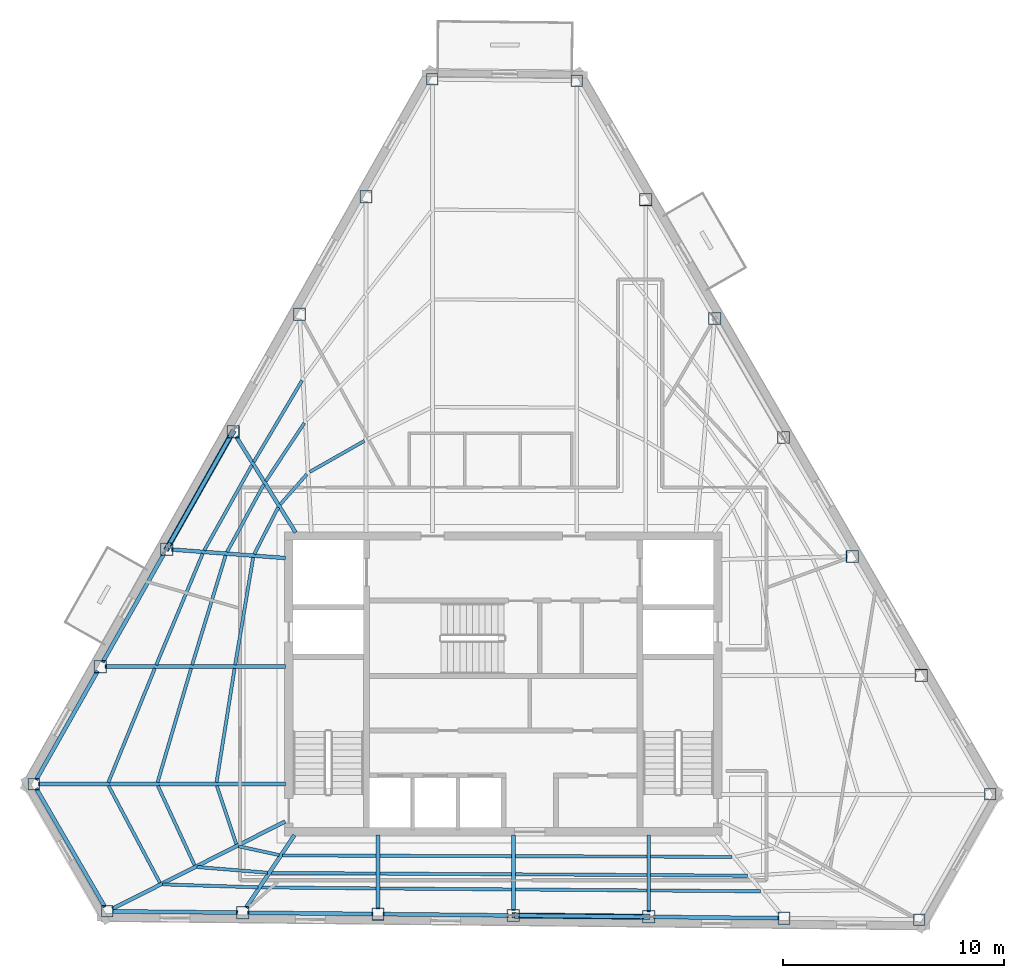
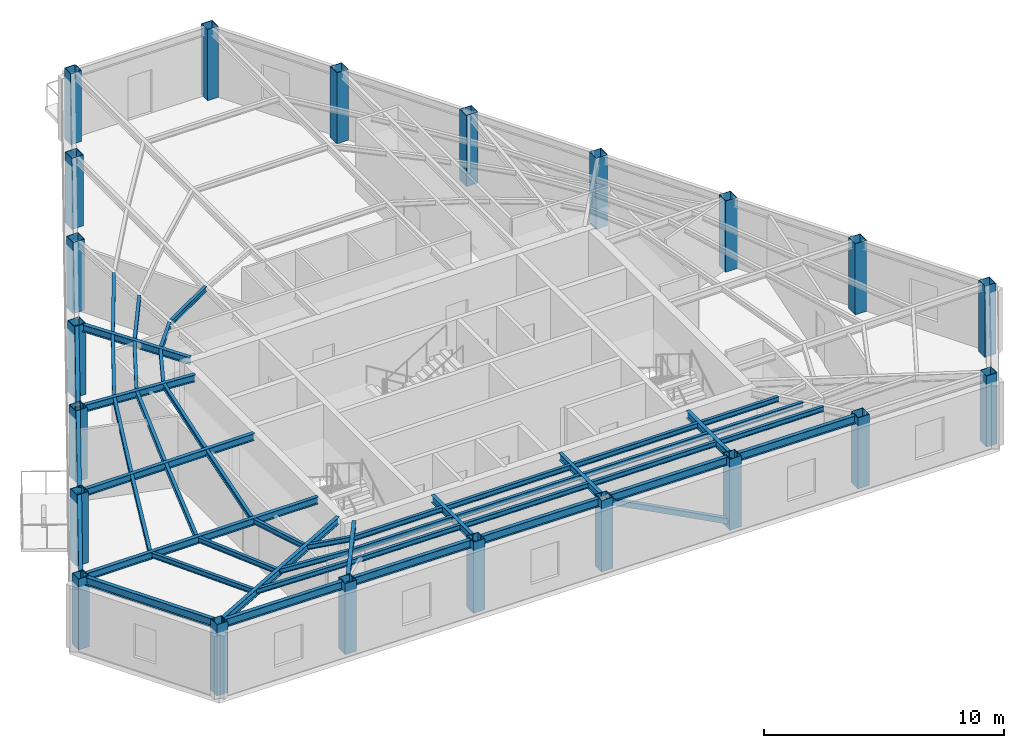
# One storey, part 1 of 10: 49 beams, 21 columns, 2 members.
"""IFC4 building model written with IfcOpenShell, lengths in metres."""

from ifc_helpers import new_model, si_unit, direction, frame, origin, origin_2d, place, context, subcontext, project, spatial, hollow_rectangle, i_section, extrude, material, material_profile, profile_set, type_object, element, save


model = new_model("IFC4")

# Units and contexts
model_context = context("Model", 3, precision=1e-05, world=origin(), true_north=direction((0.0, 1.0)))
body_context = subcontext(model_context, "Body", "Model", "MODEL_VIEW")
ifc_project = project(units=[si_unit("LENGTHUNIT", "METRE"), si_unit("AREAUNIT", "SQUARE_METRE"), si_unit("VOLUMEUNIT", "CUBIC_METRE"), si_unit("PLANEANGLEUNIT", "RADIAN"), si_unit("MASSUNIT", "GRAM", prefix="KILO")], contexts=[model_context])

# Site, building, storey
site_placement = place(None, origin())
site = spatial("IfcSite", under=ifc_project, at=site_placement, CompositionType="ELEMENT")
building_placement = place(site_placement, origin())
building = spatial("IfcBuilding", under=site, at=building_placement, Name="Kavelnor Concourse Tower", CompositionType="ELEMENT")
storey_placement = place(building_placement, frame((0.0, 0.0, 247.199951171875)))
storey = spatial("IfcBuildingStorey", under=building, at=storey_placement, Name="L62", CompositionType="ELEMENT", Elevation=247.199951171875)

# Columns
ifc_material = material(Name="Steel Grade 350", Category="steel")
ifc_material_profile_1 = material_profile(ifc_material, hollow_rectangle(XDim=0.52001953125, YDim=0.52001953125, WallThickness=0.02392578125, at=origin_2d()), Name="SHS 520x520x24")
ifc_profile_set_1 = profile_set([ifc_material_profile_1], Name="Steel Grade 350")
column_type_1 = type_object("IfcColumnType", Name="COL-FOLD-Z4", PredefinedType="COLUMN", material=ifc_profile_set_1)
for number, where, z_axis, x_axis, name in (
    (1, (34.796142578125, 43.466796875, 0.0), (0.0, 0.0, 1.0), (1.0, 0.0, 0.0), "L62 Perimeter Corner-Fold Column F0-B0"),
    (2, (16.750732421875, 11.5615234375, 0.0), (0.0, 0.0, 1.0), (1.0, 0.0, 0.0), "L62 Perimeter Corner-Fold Column F0-B6"),
    (3, (20.084716796875, 5.80615234375, 0.0), (0.0, 0.0, 1.0), (1.0, 0.0, 0.0), "L62 Perimeter Corner-Fold Column F1-B0"),
    (4, (56.83349609375, 5.427734375, 0.0), (0.0, 0.0, 1.0), (1.0, 0.0, 0.0), "L62 Perimeter Corner-Fold Column F1-B6"),
    (5, (60.041015625, 11.098876953125, 0.0), (0.0, 0.0, 1.0), (1.0, 0.0, 0.0), "L62 Perimeter Corner-Fold Column F2-B0"),
    (6, (41.330322265625, 43.399658203125, 0.0), (0.0, 0.0, 1.0), (1.0, 0.0, 0.0), "L62 Perimeter Corner-Fold Column F2-B6"),
):
    element("IfcColumn", number, at=place(storey_placement, frame(where, z_axis=z_axis, x_axis=x_axis)), inside=storey, type_object=column_type_1, Name=name, PredefinedType="COLUMN", context=body_context, shape_type="SweptSolid", body=[
        extrude(hollow_rectangle(XDim=0.52001953125, YDim=0.52001953125, WallThickness=0.02392578125, at=origin_2d()), origin(), (0.0, 0.0, 1.0), 3.610107421875),
    ])
ifc_material_profile_2 = material_profile(ifc_material, hollow_rectangle(XDim=0.56005859375, YDim=0.56005859375, WallThickness=0.02490234375, at=origin_2d()), Name="SHS 560x560x25")
ifc_profile_set_2 = profile_set([ifc_material_profile_2], Name="Steel Grade 350")
column_type_2 = type_object("IfcColumnType", Name="COL-TUBE-Z4", PredefinedType="COLUMN", material=ifc_profile_set_2)
for number, where, z_axis, x_axis, name in (
    (7, (31.78857421875, 38.1494140625, 0.0), (0.0, 0.0, 1.0), (1.0, 0.0, 0.0), "L62 Perimeter Framed-Tube Column F0-B1"),
    (8, (28.781005859375, 32.831787109375, 0.0), (0.0, 0.0, 1.0), (1.0, 0.0, 0.0), "L62 Perimeter Framed-Tube Column F0-B2"),
    (9, (25.7734375, 27.51416015625, 0.0), (0.0, 0.0, 1.0), (1.0, 0.0, 0.0), "L62 Perimeter Framed-Tube Column F0-B3"),
    (10, (22.765869140625, 22.196533203125, 0.0), (0.0, 0.0, 1.0), (1.0, 0.0, 0.0), "L62 Perimeter Framed-Tube Column F0-B4"),
    (11, (19.75830078125, 16.879150390625, 0.0), (0.0, 0.0, 1.0), (1.0, 0.0, 0.0), "L62 Perimeter Framed-Tube Column F0-B5"),
    (12, (26.20947265625, 5.7431640625, 0.0), (0.0, 0.0, 1.0), (1.0, 0.0, 0.0), "L62 Perimeter Framed-Tube Column F1-B1"),
    (13, (32.334228515625, 5.679931640625, 0.0), (0.0, 0.0, 1.0), (1.0, 0.0, 0.0), "L62 Perimeter Framed-Tube Column F1-B2"),
    (14, (38.458984375, 5.616943359375, 0.0), (0.0, 0.0, 1.0), (1.0, 0.0, 0.0), "L62 Perimeter Framed-Tube Column F1-B3"),
    (15, (44.583984375, 5.553955078125, 0.0), (0.0, 0.0, 1.0), (1.0, 0.0, 0.0), "L62 Perimeter Framed-Tube Column F1-B4"),
    (16, (50.708740234375, 5.49072265625, 0.0), (0.0, 0.0, 1.0), (1.0, 0.0, 0.0), "L62 Perimeter Framed-Tube Column F1-B5"),
    (17, (56.922607421875, 16.482421875, 0.0), (0.0, 0.0, 1.0), (1.0, 0.0, 0.0), "L62 Perimeter Framed-Tube Column F2-B1"),
    (18, (53.80419921875, 21.86572265625, 0.0), (0.0, 0.0, 1.0), (1.0, 0.0, 0.0), "L62 Perimeter Framed-Tube Column F2-B2"),
    (19, (50.685791015625, 27.249267578125, 0.0), (0.0, 0.0, 1.0), (1.0, 0.0, 0.0), "L62 Perimeter Framed-Tube Column F2-B3"),
    (20, (47.5673828125, 32.6328125, 0.0), (0.0, 0.0, 1.0), (1.0, 0.0, 0.0), "L62 Perimeter Framed-Tube Column F2-B4"),
    (21, (44.44873046875, 38.01611328125, 0.0), (0.0, 0.0, 1.0), (1.0, 0.0, 0.0), "L62 Perimeter Framed-Tube Column F2-B5"),
):
    element("IfcColumn", number, at=place(storey_placement, frame(where, z_axis=z_axis, x_axis=x_axis)), inside=storey, type_object=column_type_2, Name=name, PredefinedType="COLUMN", context=body_context, shape_type="SweptSolid", body=[
        extrude(hollow_rectangle(XDim=0.56005859375, YDim=0.56005859375, WallThickness=0.02490234375, at=origin_2d()), origin(), (0.0, 0.0, 1.0), 3.610107421875),
    ])

# Beams
ifc_material_profile_3 = material_profile(ifc_material, i_section(OverallWidth=0.14599609375, OverallDepth=0.256103515625, WebThickness=0.00634765625, FlangeThickness=0.010986328125, at=origin_2d()), Name="250UB37")
ifc_profile_set_3 = profile_set([ifc_material_profile_3], Name="Steel Grade 350")
beam_type_1 = type_object("IfcBeamType", Name="BM-JOIST-250", PredefinedType="JOIST", material=ifc_profile_set_3)
beam_1_placement = place(storey_placement, frame((25.03857421875, 11.483642578125, 3.48193359375), z_axis=(0.31604355482, -0.948744681912, 0.0), x_axis=(0.948744681912, 0.31604355482, 0.0)))
element("IfcBeam", 22, at=beam_1_placement, inside=storey, type_object=beam_type_1, Name="L62 Secondary Composite Joist 01-1", PredefinedType="JOIST", context=body_context, shape_type="SweptSolid", body=[
    extrude(i_section(OverallWidth=0.14599609375, OverallDepth=0.256103515625, WebThickness=0.00634765625, FlangeThickness=0.010986328125, at=origin_2d()), origin(), (0.0, 0.0, 1.0), 2.783203125),
])
beam_2_placement = place(storey_placement, frame((22.366455078125, 11.487060546875, 3.48193359375), z_axis=(0.420175241968, -0.907442982251, 0.0), x_axis=(0.907442982251, 0.420175241968, 0.0)))
element("IfcBeam", 23, at=beam_2_placement, inside=storey, type_object=beam_type_1, Name="L62 Secondary Composite Joist 01-2", PredefinedType="JOIST", context=body_context, shape_type="SweptSolid", body=[
    extrude(i_section(OverallWidth=0.14599609375, OverallDepth=0.256103515625, WebThickness=0.00634765625, FlangeThickness=0.010986328125, at=origin_2d()), origin(), (0.0, 0.0, 1.0), 3.962646484375),
])
beam_3_placement = place(storey_placement, frame((20.13671875, 11.489013671875, 3.48193359375), z_axis=(0.468063820267, -0.883694664552, 0.0), x_axis=(0.883694664552, 0.468063820267, 0.0)))
element("IfcBeam", 24, at=beam_3_placement, inside=storey, type_object=beam_type_1, Name="L62 Secondary Composite Joist 01-3", PredefinedType="JOIST", context=body_context, shape_type="SweptSolid", body=[
    extrude(i_section(OverallWidth=0.14599609375, OverallDepth=0.256103515625, WebThickness=0.00634765625, FlangeThickness=0.010986328125, at=origin_2d()), origin(), (0.0, 0.0, 1.0), 4.96826171875),
])
beam_4_placement = place(storey_placement, frame((26.0244140625, 8.747802734375, 3.48193359375), z_axis=(0.977367599552, -0.211548045005, 0.0), x_axis=(0.211548045005, 0.977367599552, 0.0)))
element("IfcBeam", 25, at=beam_4_placement, inside=storey, type_object=beam_type_1, Name="L62 Secondary Composite Joist 02-1", PredefinedType="JOIST", context=body_context, shape_type="SweptSolid", body=[
    extrude(i_section(OverallWidth=0.14599609375, OverallDepth=0.256103515625, WebThickness=0.00634765625, FlangeThickness=0.010986328125, at=origin_2d()), origin(), (0.0, 0.0, 1.0), 1.874267578125),
])
beam_5_placement = place(storey_placement, frame((24.1474609375, 7.809814453125, 3.48193359375), z_axis=(0.996745842952, -0.080608464549, 0.0), x_axis=(0.080608464549, 0.996745842952, 0.0)))
element("IfcBeam", 26, at=beam_5_placement, inside=storey, type_object=beam_type_1, Name="L62 Secondary Composite Joist 02-2", PredefinedType="JOIST", context=body_context, shape_type="SweptSolid", body=[
    extrude(i_section(OverallWidth=0.14599609375, OverallDepth=0.256103515625, WebThickness=0.00634765625, FlangeThickness=0.010986328125, at=origin_2d()), origin(), (0.0, 0.0, 1.0), 3.1923828125),
])
beam_6_placement = place(storey_placement, frame((22.58251953125, 7.023681640625, 3.48193359375), z_axis=(0.999530518585, -0.030638903652, 0.0), x_axis=(0.030638903652, 0.999530518585, 0.0)))
element("IfcBeam", 27, at=beam_6_placement, inside=storey, type_object=beam_type_1, Name="L62 Secondary Composite Joist 02-3", PredefinedType="JOIST", context=body_context, shape_type="SweptSolid", body=[
    extrude(i_section(OverallWidth=0.14599609375, OverallDepth=0.256103515625, WebThickness=0.00634765625, FlangeThickness=0.010986328125, at=origin_2d()), origin(), (0.0, 0.0, 1.0), 4.310791015625),
])
beam_7_placement = place(storey_placement, frame((28.018310546875, 8.33349609375, 3.48193359375), z_axis=(0.999994598457, -0.003286800376, 0.0), x_axis=(0.003286800376, 0.999994598457, 0.0)))
element("IfcBeam", 28, at=beam_7_placement, inside=storey, type_object=beam_type_1, Name="L62 Secondary Composite Joist 03-1", PredefinedType="JOIST", context=body_context, shape_type="SweptSolid", body=[
    extrude(i_section(OverallWidth=0.14599609375, OverallDepth=0.256103515625, WebThickness=0.00634765625, FlangeThickness=0.010986328125, at=origin_2d()), origin(), (0.0, 0.0, 1.0), 4.23388671875),
])
beam_8_placement = place(storey_placement, frame((27.4931640625, 7.54541015625, 3.48193359375), z_axis=(0.999977419138, -0.006720209404, 0.0), x_axis=(0.006720209404, 0.999977419138, 0.0)))
element("IfcBeam", 29, at=beam_8_placement, inside=storey, type_object=beam_type_1, Name="L62 Secondary Composite Joist 03-2", PredefinedType="JOIST", context=body_context, shape_type="SweptSolid", body=[
    extrude(i_section(OverallWidth=0.14599609375, OverallDepth=0.256103515625, WebThickness=0.00634765625, FlangeThickness=0.010986328125, at=origin_2d()), origin(), (0.0, 0.0, 1.0), 4.759033203125),
])
beam_9_placement = place(storey_placement, frame((27.055419921875, 6.888427734375, 3.48193359375), z_axis=(0.999959322164, -0.00901964624, 0.0), x_axis=(0.00901964624, 0.999959322164, 0.0)))
element("IfcBeam", 30, at=beam_9_placement, inside=storey, type_object=beam_type_1, Name="L62 Secondary Composite Joist 03-3", PredefinedType="JOIST", context=body_context, shape_type="SweptSolid", body=[
    extrude(i_section(OverallWidth=0.14599609375, OverallDepth=0.256103515625, WebThickness=0.00634765625, FlangeThickness=0.010986328125, at=origin_2d()), origin(), (0.0, 0.0, 1.0), 5.197021484375),
])
for number, where, z_axis, x_axis, name in (
    (31, (32.416259765625, 8.319091796875, 3.48193359375), (0.999995772001, -0.002907916932, 0.0), (0.002907916932, 0.999995772001, 0.0), "L62 Secondary Composite Joist 04-1"),
    (32, (32.416259765625, 7.512451171875, 3.48193359375), (0.999985606905, -0.005365256983, 0.0), (0.005365256983, 0.999985606905, 0.0), "L62 Secondary Composite Joist 04-2"),
):
    element("IfcBeam", number, at=place(storey_placement, frame(where, z_axis=z_axis, x_axis=x_axis)), inside=storey, type_object=beam_type_1, Name=name, PredefinedType="JOIST", context=body_context, shape_type="SweptSolid", body=[
        extrude(i_section(OverallWidth=0.14599609375, OverallDepth=0.256103515625, WebThickness=0.00634765625, FlangeThickness=0.010986328125, at=origin_2d()), origin(), (0.0, 0.0, 1.0), 5.9609375),
    ])
beam_10_placement = place(storey_placement, frame((32.416259765625, 6.840087890625, 3.48193359375), z_axis=(0.999972523575, -0.007412968003, 0.0), x_axis=(0.007412968003, 0.999972523575, 0.0)))
element("IfcBeam", 33, at=beam_10_placement, inside=storey, type_object=beam_type_1, Name="L62 Secondary Composite Joist 04-3", PredefinedType="JOIST", context=body_context, shape_type="SweptSolid", body=[
    extrude(i_section(OverallWidth=0.14599609375, OverallDepth=0.256103515625, WebThickness=0.00634765625, FlangeThickness=0.010986328125, at=origin_2d()), origin(), (0.0, 0.0, 1.0), 5.961181640625),
])
for number, where, z_axis, x_axis, name in (
    (34, (38.541015625, 8.30126953125, 3.48193359375), (0.99999589026, -0.002866960695, 0.0), (0.002866960695, 0.99999589026, 0.0), "L62 Secondary Composite Joist 05-1"),
    (35, (38.541015625, 7.4794921875, 3.48193359375), (0.999985825804, -0.005324301989, 0.0), (0.005324301989, 0.999985825804, 0.0), "L62 Secondary Composite Joist 05-2"),
):
    element("IfcBeam", number, at=place(storey_placement, frame(where, z_axis=z_axis, x_axis=x_axis)), inside=storey, type_object=beam_type_1, Name=name, PredefinedType="JOIST", context=body_context, shape_type="SweptSolid", body=[
        extrude(i_section(OverallWidth=0.14599609375, OverallDepth=0.256103515625, WebThickness=0.00634765625, FlangeThickness=0.010986328125, at=origin_2d()), origin(), (0.0, 0.0, 1.0), 5.9609375),
    ])
beam_11_placement = place(storey_placement, frame((38.541015625, 6.794921875, 3.48193359375), z_axis=(0.999972219142, -0.007453921358, 0.0), x_axis=(0.007453921358, 0.999972219142, 0.0)))
element("IfcBeam", 36, at=beam_11_placement, inside=storey, type_object=beam_type_1, Name="L62 Secondary Composite Joist 05-3", PredefinedType="JOIST", context=body_context, shape_type="SweptSolid", body=[
    extrude(i_section(OverallWidth=0.14599609375, OverallDepth=0.256103515625, WebThickness=0.00634765625, FlangeThickness=0.010986328125, at=origin_2d()), origin(), (0.0, 0.0, 1.0), 5.961181640625),
])
beam_12_placement = place(storey_placement, frame((44.666015625, 8.283447265625, 3.48193359375), z_axis=(0.999984259096, -0.005610843093, 0.0), x_axis=(0.005610843093, 0.999984259096, 0.0)))
element("IfcBeam", 37, at=beam_12_placement, inside=storey, type_object=beam_type_1, Name="L62 Secondary Composite Joist 06-1", PredefinedType="JOIST", context=body_context, shape_type="SweptSolid", body=[
    extrude(i_section(OverallWidth=0.14599609375, OverallDepth=0.256103515625, WebThickness=0.00634765625, FlangeThickness=0.010986328125, at=origin_2d()), origin(), (0.0, 0.0, 1.0), 3.698486328125),
])
beam_13_placement = place(storey_placement, frame((44.666015625, 7.446533203125, 3.48193359375), z_axis=(0.999974669186, -0.007117653209, 0.0), x_axis=(0.007117653209, 0.999974669186, 0.0)))
element("IfcBeam", 38, at=beam_13_placement, inside=storey, type_object=beam_type_1, Name="L62 Secondary Composite Joist 06-2", PredefinedType="JOIST", context=body_context, shape_type="SweptSolid", body=[
    extrude(i_section(OverallWidth=0.14599609375, OverallDepth=0.256103515625, WebThickness=0.00634765625, FlangeThickness=0.010986328125, at=origin_2d()), origin(), (0.0, 0.0, 1.0), 4.390380859375),
])
beam_14_placement = place(storey_placement, frame((44.666015625, 6.749267578125, 3.48193359375), z_axis=(0.999967508943, -0.008061082947, 0.0), x_axis=(0.008061082947, 0.999967508943, 0.0)))
element("IfcBeam", 39, at=beam_14_placement, inside=storey, type_object=beam_type_1, Name="L62 Secondary Composite Joist 06-3", PredefinedType="JOIST", context=body_context, shape_type="SweptSolid", body=[
    extrude(i_section(OverallWidth=0.14599609375, OverallDepth=0.256103515625, WebThickness=0.00634765625, FlangeThickness=0.010986328125, at=origin_2d()), origin(), (0.0, 0.0, 1.0), 4.967041015625),
])
beam_15_placement = place(storey_placement, frame((31.71728515625, 27.096435546875, 3.48193359375), z_axis=(-0.869515919807, -0.493904915142, 0.0), x_axis=(0.493904915142, -0.869515919807, 0.0)))
element("IfcBeam", 40, at=beam_15_placement, inside=storey, type_object=beam_type_1, Name="L62 Secondary Composite Joist 17-1", PredefinedType="JOIST", context=body_context, shape_type="SweptSolid", body=[
    extrude(i_section(OverallWidth=0.14599609375, OverallDepth=0.256103515625, WebThickness=0.00634765625, FlangeThickness=0.010986328125, at=origin_2d()), origin(), (0.0, 0.0, 1.0), 2.85009765625),
])
beam_16_placement = place(storey_placement, frame((29.11328125, 25.586669921875, 3.48193359375), z_axis=(-0.66253047442, -0.749034959441, 0.0), x_axis=(0.749034959441, -0.66253047442, 0.0)))
element("IfcBeam", 41, at=beam_16_placement, inside=storey, type_object=beam_type_1, Name="L62 Secondary Composite Joist 18-1", PredefinedType="JOIST", context=body_context, shape_type="SweptSolid", body=[
    extrude(i_section(OverallWidth=0.14599609375, OverallDepth=0.256103515625, WebThickness=0.00634765625, FlangeThickness=0.010986328125, at=origin_2d()), origin(), (0.0, 0.0, 1.0), 1.8203125),
])
beam_17_placement = place(storey_placement, frame((28.997314453125, 27.90087890625, 3.48193359375), z_axis=(-0.553145800233, -0.833084463716, 0.0), x_axis=(0.833084463716, -0.553145800233, 0.0)))
element("IfcBeam", 42, at=beam_17_placement, inside=storey, type_object=beam_type_1, Name="L62 Secondary Composite Joist 18-2", PredefinedType="JOIST", context=body_context, shape_type="SweptSolid", body=[
    extrude(i_section(OverallWidth=0.14599609375, OverallDepth=0.256103515625, WebThickness=0.00634765625, FlangeThickness=0.010986328125, at=origin_2d()), origin(), (0.0, 0.0, 1.0), 3.1552734375),
])
beam_18_placement = place(storey_placement, frame((28.896728515625, 29.8330078125, 3.48193359375), z_axis=(-0.509842952378, -0.860267495556, 0.0), x_axis=(0.860267495556, -0.509842952378, 0.0)))
element("IfcBeam", 43, at=beam_18_placement, inside=storey, type_object=beam_type_1, Name="L62 Secondary Composite Joist 18-3", PredefinedType="JOIST", context=body_context, shape_type="SweptSolid", body=[
    extrude(i_section(OverallWidth=0.14599609375, OverallDepth=0.256103515625, WebThickness=0.00634765625, FlangeThickness=0.010986328125, at=origin_2d()), origin(), (0.0, 0.0, 1.0), 4.28955078125),
])
beam_19_placement = place(storey_placement, frame((27.815673828125, 24.0888671875, 3.48193359375), z_axis=(-0.455418959684, -0.890277243987, 0.0), x_axis=(0.890277243987, -0.455418959684, 0.0)))
element("IfcBeam", 44, at=beam_19_placement, inside=storey, type_object=beam_type_1, Name="L62 Secondary Composite Joist 19-1", PredefinedType="JOIST", context=body_context, shape_type="SweptSolid", body=[
    extrude(i_section(OverallWidth=0.14599609375, OverallDepth=0.256103515625, WebThickness=0.00634765625, FlangeThickness=0.010986328125, at=origin_2d()), origin(), (0.0, 0.0, 1.0), 2.374755859375),
])
beam_20_placement = place(storey_placement, frame((27.167236328125, 25.1318359375, 3.48193359375), z_axis=(-0.478003978833, -0.87835766987, 0.0), x_axis=(0.87835766987, -0.478003978833, 0.0)))
element("IfcBeam", 45, at=beam_20_placement, inside=storey, type_object=beam_type_1, Name="L62 Secondary Composite Joist 19-2", PredefinedType="JOIST", context=body_context, shape_type="SweptSolid", body=[
    extrude(i_section(OverallWidth=0.14599609375, OverallDepth=0.256103515625, WebThickness=0.00634765625, FlangeThickness=0.010986328125, at=origin_2d()), origin(), (0.0, 0.0, 1.0), 3.489990234375),
])
beam_21_placement = place(storey_placement, frame((26.627685546875, 26.000732421875, 3.48193359375), z_axis=(-0.488351076102, -0.872647252027, 0.0), x_axis=(0.872647252027, -0.488351076102, 0.0)))
element("IfcBeam", 46, at=beam_21_placement, inside=storey, type_object=beam_type_1, Name="L62 Secondary Composite Joist 19-3", PredefinedType="JOIST", context=body_context, shape_type="SweptSolid", body=[
    extrude(i_section(OverallWidth=0.14599609375, OverallDepth=0.256103515625, WebThickness=0.00634765625, FlangeThickness=0.010986328125, at=origin_2d()), origin(), (0.0, 0.0, 1.0), 4.42041015625),
])
beam_22_placement = place(storey_placement, frame((26.68310546875, 21.820556640625, 3.48193359375), z_axis=(-0.165306659026, -0.986242215929, 0.0), x_axis=(0.986242215929, -0.165306659026, 0.0)))
element("IfcBeam", 47, at=beam_22_placement, inside=storey, type_object=beam_type_1, Name="L62 Secondary Composite Joist 20-1", PredefinedType="JOIST", context=body_context, shape_type="SweptSolid", body=[
    extrude(i_section(OverallWidth=0.14599609375, OverallDepth=0.256103515625, WebThickness=0.00634765625, FlangeThickness=0.010986328125, at=origin_2d()), origin(), (0.0, 0.0, 1.0), 4.928466796875),
])
beam_23_placement = place(storey_placement, frame((25.435791015625, 21.916015625, 3.48193359375), z_axis=(-0.292354904947, -0.956309892008, 0.0), x_axis=(0.956309892008, -0.292354904947, 0.0)))
element("IfcBeam", 48, at=beam_23_placement, inside=storey, type_object=beam_type_1, Name="L62 Secondary Composite Joist 20-2", PredefinedType="JOIST", context=body_context, shape_type="SweptSolid", body=[
    extrude(i_section(OverallWidth=0.14599609375, OverallDepth=0.256103515625, WebThickness=0.00634765625, FlangeThickness=0.010986328125, at=origin_2d()), origin(), (0.0, 0.0, 1.0), 5.18505859375),
])
beam_24_placement = place(storey_placement, frame((24.3974609375, 21.99609375, 3.48193359375), z_axis=(-0.384891487819, -0.922961831608, 0.0), x_axis=(0.922961831608, -0.384891487819, 0.0)))
element("IfcBeam", 49, at=beam_24_placement, inside=storey, type_object=beam_type_1, Name="L62 Secondary Composite Joist 20-3", PredefinedType="JOIST", context=body_context, shape_type="SweptSolid", body=[
    extrude(i_section(OverallWidth=0.14599609375, OverallDepth=0.256103515625, WebThickness=0.00634765625, FlangeThickness=0.010986328125, at=origin_2d()), origin(), (0.0, 0.0, 1.0), 5.462158203125),
])
beam_25_placement = place(storey_placement, frame((25.841796875, 16.798095703125, 3.48193359375), z_axis=(-0.156406895464, -0.987692706793, 0.0), x_axis=(0.987692706793, -0.156406895464, 0.0)))
element("IfcBeam", 50, at=beam_25_placement, inside=storey, type_object=beam_type_1, Name="L62 Secondary Composite Joist 21-1", PredefinedType="JOIST", context=body_context, shape_type="SweptSolid", body=[
    extrude(i_section(OverallWidth=0.14599609375, OverallDepth=0.256103515625, WebThickness=0.00634765625, FlangeThickness=0.010986328125, at=origin_2d()), origin(), (0.0, 0.0, 1.0), 5.2197265625),
])
beam_26_placement = place(storey_placement, frame((23.872802734375, 16.80029296875, 3.48193359375), z_axis=(-0.2821466644, -0.959371283585, 0.0), x_axis=(0.959371283585, -0.2821466644, 0.0)))
element("IfcBeam", 51, at=beam_26_placement, inside=storey, type_object=beam_type_1, Name="L62 Secondary Composite Joist 21-2", PredefinedType="JOIST", context=body_context, shape_type="SweptSolid", body=[
    extrude(i_section(OverallWidth=0.14599609375, OverallDepth=0.256103515625, WebThickness=0.00634765625, FlangeThickness=0.010986328125, at=origin_2d()), origin(), (0.0, 0.0, 1.0), 5.378662109375),
])
beam_27_placement = place(storey_placement, frame((22.232666015625, 16.80322265625, 3.48193359375), z_axis=(-0.377134206448, -0.9261586205, 0.0), x_axis=(0.9261586205, -0.377134206448, 0.0)))
element("IfcBeam", 52, at=beam_27_placement, inside=storey, type_object=beam_type_1, Name="L62 Secondary Composite Joist 21-3", PredefinedType="JOIST", context=body_context, shape_type="SweptSolid", body=[
    extrude(i_section(OverallWidth=0.14599609375, OverallDepth=0.256103515625, WebThickness=0.00634765625, FlangeThickness=0.010986328125, at=origin_2d()), origin(), (0.0, 0.0, 1.0), 5.57763671875),
])
ifc_material_profile_4 = material_profile(ifc_material, i_section(OverallWidth=0.172119140625, OverallDepth=0.35888671875, WebThickness=0.008056640625, FlangeThickness=0.012939453125, at=origin_2d()), Name="360UB56")
ifc_profile_set_4 = profile_set([ifc_material_profile_4], Name="Steel Grade 350")
beam_type_2 = type_object("IfcBeamType", Name="BM-PRIMARY-360", PredefinedType="BEAM", material=ifc_profile_set_4)
beam_28_placement = place(storey_placement, frame((28.607177734375, 22.946044921875, 3.4306640625), z_axis=(-0.52712258106, 0.849789258897, 0.0), x_axis=(-0.849789258897, -0.52712258106, 0.0)))
element("IfcBeam", 53, at=beam_28_placement, inside=storey, type_object=beam_type_2, Name="L62 Primary Floor Girder F0-B3", PredefinedType="BEAM", context=body_context, shape_type="SweptSolid", body=[
    extrude(i_section(OverallWidth=0.172119140625, OverallDepth=0.35888671875, WebThickness=0.008056640625, FlangeThickness=0.012939453125, at=origin_2d()), origin(), (0.0, 0.0, 1.0), 5.109619140625),
])
beam_29_placement = place(storey_placement, frame((28.139892578125, 21.793212890625, 3.4306640625), z_axis=(-0.997193141199, 0.074872152004, 0.0), x_axis=(-0.074872152004, -0.997193141199, 0.0)))
element("IfcBeam", 54, at=beam_29_placement, inside=storey, type_object=beam_type_2, Name="L62 Primary Floor Girder F0-B4", PredefinedType="BEAM", context=body_context, shape_type="SweptSolid", body=[
    extrude(i_section(OverallWidth=0.172119140625, OverallDepth=0.35888671875, WebThickness=0.008056640625, FlangeThickness=0.012939453125, at=origin_2d()), origin(), (0.0, 0.0, 1.0), 5.168212890625),
])
beam_30_placement = place(storey_placement, frame((28.139892578125, 16.879150390625, 3.4306640625), z_axis=(-1.0, 0.0, 0.0), x_axis=(0.0, -1.0, 0.0)))
element("IfcBeam", 55, at=beam_30_placement, inside=storey, type_object=beam_type_2, Name="L62 Primary Floor Girder F0-B5", PredefinedType="BEAM", context=body_context, shape_type="SweptSolid", body=[
    extrude(i_section(OverallWidth=0.172119140625, OverallDepth=0.35888671875, WebThickness=0.008056640625, FlangeThickness=0.012939453125, at=origin_2d()), origin(), (0.0, 0.0, 1.0), 8.161376953125),
])
beam_31_placement = place(storey_placement, frame((28.139892578125, 11.5615234375, 3.4306640625), z_axis=(-1.0, 0.0, 0.0), x_axis=(0.0, -1.0, 0.0)))
element("IfcBeam", 56, at=beam_31_placement, inside=storey, type_object=beam_type_2, Name="L62 Primary Floor Girder F0-B6", PredefinedType="BEAM", context=body_context, shape_type="SweptSolid", body=[
    extrude(i_section(OverallWidth=0.172119140625, OverallDepth=0.35888671875, WebThickness=0.008056640625, FlangeThickness=0.012939453125, at=origin_2d()), origin(), (0.0, 0.0, 1.0), 11.169189453125),
])
beam_32_placement = place(storey_placement, frame((28.1357421875, 9.87158203125, 3.4306640625), z_axis=(-0.892649247659, -0.45075195025, 0.0), x_axis=(0.45075195025, -0.892649247659, 0.0)))
element("IfcBeam", 57, at=beam_32_placement, inside=storey, type_object=beam_type_2, Name="L62 Primary Floor Girder F1-B0", PredefinedType="BEAM", context=body_context, shape_type="SweptSolid", body=[
    extrude(i_section(OverallWidth=0.172119140625, OverallDepth=0.35888671875, WebThickness=0.008056640625, FlangeThickness=0.012939453125, at=origin_2d()), origin(), (0.0, 0.0, 1.0), 8.767822265625),
])
beam_33_placement = place(storey_placement, frame((28.549072265625, 9.25341796875, 3.4306640625), z_axis=(-0.554585972901, -0.832126431897, 0.0), x_axis=(0.832126431897, -0.554585972901, 0.0)))
element("IfcBeam", 58, at=beam_33_placement, inside=storey, type_object=beam_type_2, Name="L62 Primary Floor Girder F1-B1", PredefinedType="BEAM", context=body_context, shape_type="SweptSolid", body=[
    extrude(i_section(OverallWidth=0.172119140625, OverallDepth=0.35888671875, WebThickness=0.008056640625, FlangeThickness=0.012939453125, at=origin_2d()), origin(), (0.0, 0.0, 1.0), 3.946044921875),
])
beam_34_placement = place(storey_placement, frame((32.334228515625, 9.260009765625, 3.4306640625), z_axis=(0.0, -1.0, 0.0), x_axis=(1.0, 0.0, 0.0)))
element("IfcBeam", 59, at=beam_34_placement, inside=storey, type_object=beam_type_2, Name="L62 Primary Floor Girder F1-B2", PredefinedType="BEAM", context=body_context, shape_type="SweptSolid", body=[
    extrude(i_section(OverallWidth=0.172119140625, OverallDepth=0.35888671875, WebThickness=0.008056640625, FlangeThickness=0.012939453125, at=origin_2d()), origin(), (0.0, 0.0, 1.0), 3.360107421875),
])
beam_35_placement = place(storey_placement, frame((38.458984375, 9.260009765625, 3.4306640625), z_axis=(0.0, -1.0, 0.0), x_axis=(1.0, 0.0, 0.0)))
element("IfcBeam", 60, at=beam_35_placement, inside=storey, type_object=beam_type_2, Name="L62 Primary Floor Girder F1-B3", PredefinedType="BEAM", context=body_context, shape_type="SweptSolid", body=[
    extrude(i_section(OverallWidth=0.172119140625, OverallDepth=0.35888671875, WebThickness=0.008056640625, FlangeThickness=0.012939453125, at=origin_2d()), origin(), (0.0, 0.0, 1.0), 3.423095703125),
])
beam_36_placement = place(storey_placement, frame((44.583984375, 9.260009765625, 3.4306640625), z_axis=(0.0, -1.0, 0.0), x_axis=(1.0, 0.0, 0.0)))
element("IfcBeam", 61, at=beam_36_placement, inside=storey, type_object=beam_type_2, Name="L62 Primary Floor Girder F1-B4", PredefinedType="BEAM", context=body_context, shape_type="SweptSolid", body=[
    extrude(i_section(OverallWidth=0.172119140625, OverallDepth=0.35888671875, WebThickness=0.008056640625, FlangeThickness=0.012939453125, at=origin_2d()), origin(), (0.0, 0.0, 1.0), 3.486083984375),
])
ifc_material_profile_5 = material_profile(ifc_material, i_section(OverallWidth=0.177978515625, OverallDepth=0.406005859375, WebThickness=0.0078125, FlangeThickness=0.0126953125, at=origin_2d()), Name="410UB59")
ifc_profile_set_5 = profile_set([ifc_material_profile_5], Name="Steel Grade 350")
beam_type_3 = type_object("IfcBeamType", Name="BM-SPANDREL-Z4", PredefinedType="SPANDREL", material=ifc_profile_set_5)
beam_37_placement = place(storey_placement, frame((25.66259765625, 27.318359375, 3.406982421875), z_axis=(-0.49227331356, -0.870440684226, 0.0), x_axis=(0.870440684226, -0.49227331356, 0.0)))
element("IfcBeam", 62, at=beam_37_placement, inside=storey, type_object=beam_type_3, Name="L62 Perimeter Tube Spandrel Beam F0-B3", PredefinedType="SPANDREL", context=body_context, shape_type="SweptSolid", body=[
    extrude(i_section(OverallWidth=0.177978515625, OverallDepth=0.406005859375, WebThickness=0.0078125, FlangeThickness=0.0126953125, at=origin_2d()), origin(), (0.0, 0.0, 1.0), 5.6591796875),
])
beam_38_placement = place(storey_placement, frame((22.655029296875, 22.000732421875, 3.406982421875), z_axis=(-0.49229179951, -0.870430229332, 0.0), x_axis=(0.870430229332, -0.49229179951, 0.0)))
element("IfcBeam", 63, at=beam_38_placement, inside=storey, type_object=beam_type_3, Name="L62 Perimeter Tube Spandrel Beam F0-B4", PredefinedType="SPANDREL", context=body_context, shape_type="SweptSolid", body=[
    extrude(i_section(OverallWidth=0.177978515625, OverallDepth=0.406005859375, WebThickness=0.0078125, FlangeThickness=0.0126953125, at=origin_2d()), origin(), (0.0, 0.0, 1.0), 5.658935546875),
])
beam_39_placement = place(storey_placement, frame((19.647705078125, 16.683349609375, 3.406982421875), z_axis=(-0.492305998457, -0.870422198639, 0.0), x_axis=(0.870422198639, -0.492305998457, 0.0)))
element("IfcBeam", 64, at=beam_39_placement, inside=storey, type_object=beam_type_3, Name="L62 Perimeter Tube Spandrel Beam F0-B5", PredefinedType="SPANDREL", context=body_context, shape_type="SweptSolid", body=[
    extrude(i_section(OverallWidth=0.177978515625, OverallDepth=0.406005859375, WebThickness=0.0078125, FlangeThickness=0.0126953125, at=origin_2d()), origin(), (0.0, 0.0, 1.0), 5.659423828125),
])
for number, where, z_axis, x_axis, name in (
    (65, (20.309814453125, 5.803955078125, 3.406982421875), (0.999946698917, -0.010324694878, 0.0), (0.010324694878, 0.999946698917, 0.0), "L62 Perimeter Tube Spandrel Beam F1-B0"),
    (66, (26.4345703125, 5.74072265625, 3.406982421875), (0.999947142133, -0.010281679873, 0.0), (0.010281679873, 0.999947142133, 0.0), "L62 Perimeter Tube Spandrel Beam F1-B1"),
    (67, (32.559326171875, 5.677734375, 3.406982421875), (0.999946698917, -0.010324694878, 0.0), (0.010324694878, 0.999946698917, 0.0), "L62 Perimeter Tube Spandrel Beam F1-B2"),
    (68, (38.68408203125, 5.614501953125, 3.406982421875), (0.999947142133, -0.010281679873, 0.0), (0.010281679873, 0.999947142133, 0.0), "L62 Perimeter Tube Spandrel Beam F1-B3"),
    (69, (44.80908203125, 5.551513671875, 3.406982421875), (0.999947142133, -0.010281679873, 0.0), (0.010281679873, 0.999947142133, 0.0), "L62 Perimeter Tube Spandrel Beam F1-B4"),
):
    element("IfcBeam", number, at=place(storey_placement, frame(where, z_axis=z_axis, x_axis=x_axis)), inside=storey, type_object=beam_type_3, Name=name, PredefinedType="SPANDREL", context=body_context, shape_type="SweptSolid", body=[
        extrude(i_section(OverallWidth=0.177978515625, OverallDepth=0.406005859375, WebThickness=0.0078125, FlangeThickness=0.0126953125, at=origin_2d()), origin(), (0.0, 0.0, 1.0), 5.675048828125),
    ])
beam_40_placement = place(storey_placement, frame((16.863525390625, 11.36669921875, 3.406982421875), z_axis=(0.501269046574, -0.865291478605, 0.0), x_axis=(0.865291478605, 0.501269046574, 0.0)))
element("IfcBeam", 70, at=beam_40_placement, inside=storey, type_object=beam_type_3, Name="L62 Chamfer Facet Spandrel Beam C1", PredefinedType="SPANDREL", context=body_context, shape_type="SweptSolid", body=[
    extrude(i_section(OverallWidth=0.177978515625, OverallDepth=0.406005859375, WebThickness=0.0078125, FlangeThickness=0.0126953125, at=origin_2d()), origin(), (0.0, 0.0, 1.0), 6.201171875),
])

# Members
ifc_material_profile_6 = material_profile(ifc_material, hollow_rectangle(XDim=0.25, YDim=0.25, WallThickness=0.01611328125, at=origin_2d()), Name="SHS 250x250x16")
ifc_profile_set_6 = profile_set([ifc_material_profile_6], Name="Steel Grade 350")
member_type = type_object("IfcMemberType", Name="MBR-TUBE-DIAG-Z4", PredefinedType="BRACE", material=ifc_profile_set_6)
member_1_placement = place(storey_placement, frame((25.7734375, 27.51416015625, 0.219970703125), z_axis=(-0.436477310488, -0.771727599621, 0.462519263829), x_axis=(0.870425855733, -0.492299532472, 0.0)))
element("IfcMember", 71, at=member_1_placement, inside=storey, type_object=member_type, Name="L62 Framed-Tube Bracing Diagonal F0-B3", PredefinedType="BRACE", context=body_context, shape_type="SweptSolid", body=[
    extrude(hollow_rectangle(XDim=0.25, YDim=0.25, WallThickness=0.01611328125, at=origin_2d()), origin(), (0.0, 0.0, 1.0), 6.890625),
])
member_2_placement = place(storey_placement, frame((44.583984375, 5.553955078125, 0.219970703125), z_axis=(-0.887060599708, 0.0091223547, 0.461562861471), x_axis=(-0.010283257274, -0.999947125912, 0.0)))
element("IfcMember", 72, at=member_2_placement, inside=storey, type_object=member_type, Name="L62 Framed-Tube Bracing Diagonal F1-B3", PredefinedType="BRACE", context=body_context, shape_type="SweptSolid", body=[
    extrude(hollow_rectangle(XDim=0.25, YDim=0.25, WallThickness=0.01611328125, at=origin_2d()), origin(), (0.0, 0.0, 1.0), 6.90478515625),
])

save(model, "model.ifc")
